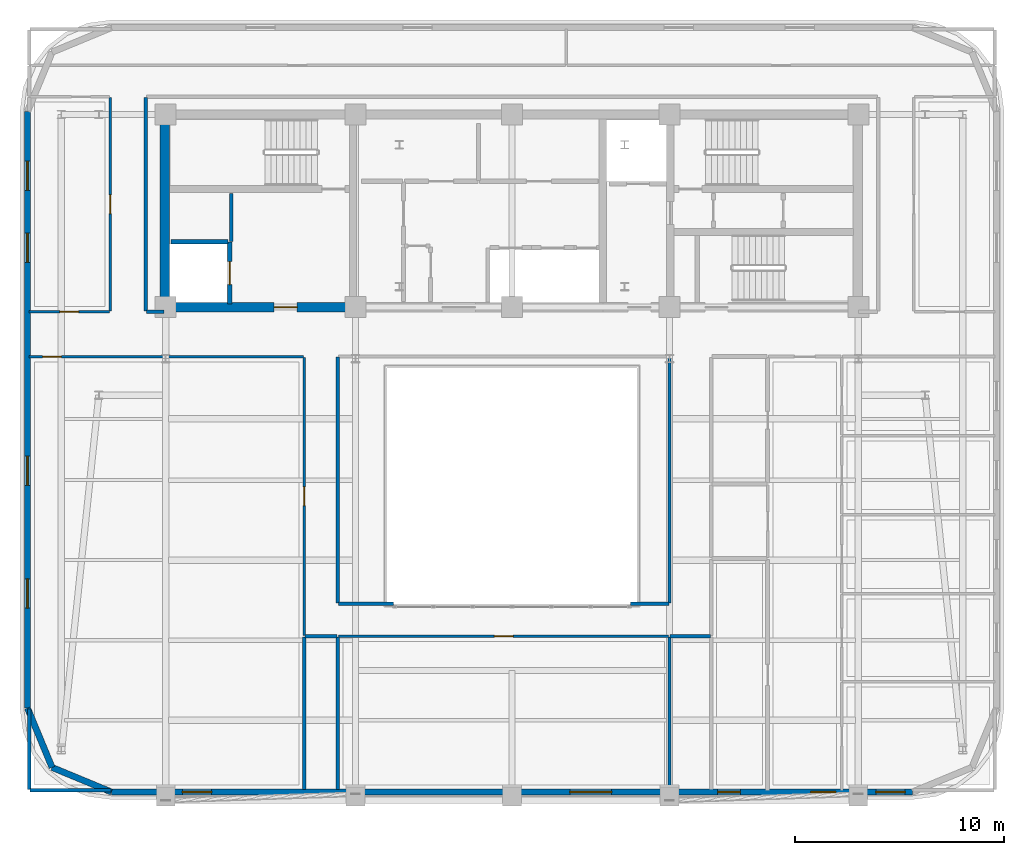
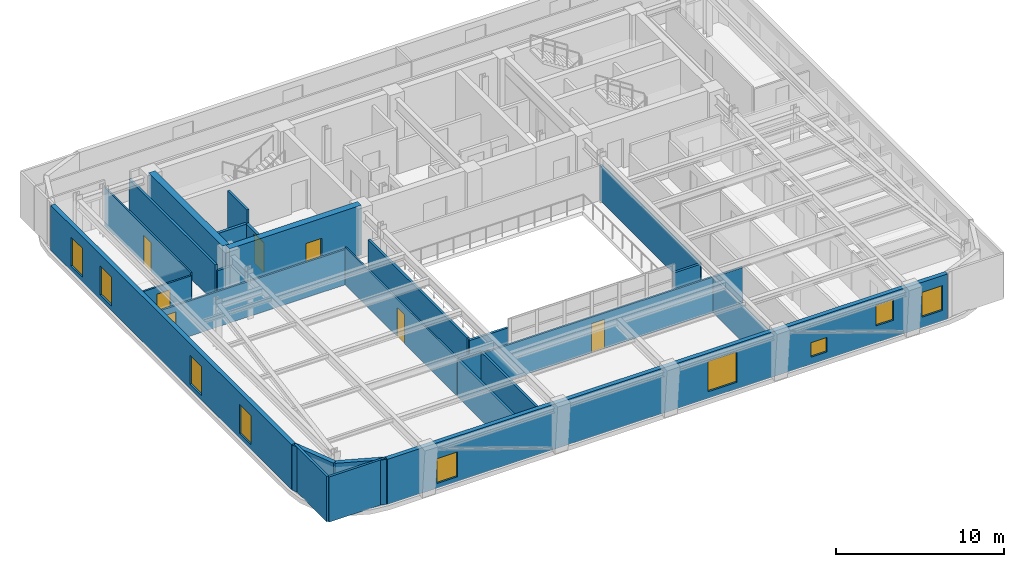
# One storey, part 6 of 13: 27 walls, 9 windows, 7 doors, 16 openings.
"""IFC4 building model written with IfcOpenShell, lengths in metres."""

from ifc_helpers import new_model, si_unit, direction, frame, frame_2d, origin, place, context, subcontext, project, spatial, rectangle, extrude, material, layer, layer_set, type_object, element, fill, save


model = new_model("IFC4")

# Units and contexts
model_context = context("Model", 3, precision=1e-05, world=origin(), true_north=direction((0.0, 1.0)))
body_context = subcontext(model_context, "Body", "Model", "MODEL_VIEW")
ifc_project = project(units=[si_unit("LENGTHUNIT", "METRE"), si_unit("AREAUNIT", "SQUARE_METRE"), si_unit("VOLUMEUNIT", "CUBIC_METRE"), si_unit("PLANEANGLEUNIT", "RADIAN"), si_unit("MASSUNIT", "GRAM", prefix="KILO")], contexts=[model_context])

# Site, building, storey
site_placement = place(None, origin())
site = spatial("IfcSite", under=ifc_project, at=site_placement, CompositionType="ELEMENT")
building_placement = place(site_placement, origin())
building = spatial("IfcBuilding", under=site, at=building_placement, Name="Zarnavel Station Tower", CompositionType="ELEMENT")
storey_placement = place(building_placement, frame((0.0, 0.0, 240.0)))
storey = spatial("IfcBuildingStorey", under=building, at=storey_placement, Name="L65", CompositionType="ELEMENT", Elevation=240.0)

# Wall, opening, door
ifc_material_1 = material(Name="Concrete C50/60", Category="concrete")
ifc_layer_1 = layer(ifc_material_1, 0.449951171875)
ifc_layer_set_1 = layer_set([ifc_layer_1], Name="CW_450")
wall_type_1 = type_object("IfcWallType", Name="CW_450", PredefinedType="SHEAR", material=ifc_layer_set_1)
wall_1_placement = place(storey_placement, frame((21.179931640625, 27.820068359375, 0.0), z_axis=(0.0, 0.0, 1.0), x_axis=(-1.0, 0.0, 0.0)))
wall_1 = element("IfcWall", 1, at=wall_1_placement, inside=storey, type_object=wall_type_1, Name="L65 Rear Core Shear Wall S-W", PredefinedType="SHEAR", context=body_context, shape_type="SweptSolid", body=[
    extrude(rectangle(XDim=9.030029296875, YDim=0.449951171875, at=frame_2d((4.51513671875, 0.0))), origin(), (0.0, 0.0, 1.0), 3.60009765625),
])
opening_1_placement = place(wall_1_placement, frame((2.679931640625, 0.0, 0.0)))
opening_1 = element("IfcOpeningElement", 2, at=opening_1_placement, cuts=wall_1, Name="Opening FD01", PredefinedType="OPENING", context=body_context, shape_type="SweptSolid", body=[
    extrude(rectangle(XDim=1.10009765625, YDim=2.14990234375, at=frame_2d((0.550048828125, 1.074951171875))), frame((0.0, 0.23486328125, 0.0), z_axis=(0.0, -1.0, 0.0), x_axis=(1.0, 0.0, 0.0)), (0.0, 0.0, 1.0), 0.469970703125),
])
ifc_material_2 = material(Name="Painted Galvanised Steel and Hardwood Leaf", Category="steel")
door_type_1 = type_object("IfcDoorType", Name="ID_STAIR_1100", OperationType="NOTDEFINED", PredefinedType="DOOR", material=ifc_material_2)
door_1_placement = place(opening_1_placement, origin())
door_1 = element("IfcDoor", 3, at=door_1_placement, inside=storey, type_object=door_type_1, Name="L65 West Firefighting Lobby Door", OperationType="SINGLE_SWING_RIGHT", OverallHeight=2.14990234375, OverallWidth=1.10009765625, PredefinedType="DOOR", context=body_context, shape_type="SweptSolid", body=[
    extrude(rectangle(XDim=1.10009765625, YDim=2.14990234375, at=frame_2d((0.550048828125, 1.074951171875))), frame((0.0, 0.02490234375, 0.0), z_axis=(0.0, -1.0, 0.0), x_axis=(1.0, 0.0, 0.0)), (0.0, 0.0, 1.0), 0.050048828125),
])
fill(opening_1, door_1)

# Wall
wall_2_placement = place(storey_placement, frame((12.14990234375, 28.044921875, 0.0), z_axis=(0.0, 0.0, 1.0), x_axis=(0.0, 1.0, 0.0)))
element("IfcWall", 4, at=wall_2_placement, inside=storey, type_object=wall_type_1, Name="L65 Rear Core Shear Wall W", PredefinedType="SHEAR", context=body_context, shape_type="SweptSolid", body=[
    extrude(rectangle(XDim=8.780029296875, YDim=0.449951171875, at=frame_2d((4.39013671875, 0.0))), origin(), (0.0, 0.0, 1.0), 3.60009765625),
])

# Wall, openings, windows
ifc_material_3 = material(Name="Precast concrete C45/55 (Dark Basalt Finish)", Category="masonry")
ifc_layer_2 = layer(ifc_material_3, 0.300048828125)
ifc_layer_set_2 = layer_set([ifc_layer_2], Name="EW_BASALT_300")
wall_type_2 = type_object("IfcWallType", Name="EW_BASALT_300", PredefinedType="SOLIDWALL", material=ifc_layer_set_2)
wall_3_placement = place(storey_placement, frame((5.580078125, 8.60009765625, 0.0), z_axis=(0.0, 0.0, 1.0), x_axis=(0.0, 1.0, 0.0)))
wall_3 = element("IfcWall", 5, at=wall_3_placement, inside=storey, type_object=wall_type_2, Name="L65 Exterior Basalt Masonry Frame Wall 09", PredefinedType="SOLIDWALL", context=body_context, shape_type="SweptSolid", body=[
    extrude(rectangle(XDim=28.599853515625, YDim=0.300048828125, at=frame_2d((14.2998046875, 0.0))), origin(), (0.0, 0.0, 1.0), 3.280029296875),
])
opening_2_placement = place(wall_3_placement, frame((21.360107421875, 0.0, 0.340087890625)))
opening_2 = element("IfcOpeningElement", 6, at=opening_2_placement, cuts=wall_3, Name="Opening WN04", PredefinedType="OPENING", context=body_context, shape_type="SweptSolid", body=[
    extrude(rectangle(XDim=1.39990234375, YDim=2.10009765625, at=frame_2d((0.699951171875, 1.050048828125))), frame((0.0, 0.159912109375, 0.0), z_axis=(0.0, -1.0, 0.0), x_axis=(1.0, 0.0, 0.0)), (0.0, 0.0, 1.0), 0.320068359375),
])
opening_3_placement = place(wall_3_placement, frame((24.820068359375, 0.0, 0.340087890625)))
opening_3 = element("IfcOpeningElement", 7, at=opening_3_placement, cuts=wall_3, Name="Opening WN04", PredefinedType="OPENING", context=body_context, shape_type="SweptSolid", body=[
    extrude(rectangle(XDim=1.39990234375, YDim=2.10009765625, at=frame_2d((0.699951171875, 1.050048828125))), frame((0.0, 0.159912109375, 0.0), z_axis=(0.0, -1.0, 0.0), x_axis=(1.0, 0.0, 0.0)), (0.0, 0.0, 1.0), 0.320068359375),
])
opening_4_placement = place(wall_3_placement, frame((4.796630859375, 0.0, 0.340087890625)))
opening_4 = element("IfcOpeningElement", 8, at=opening_4_placement, cuts=wall_3, Name="Opening WN04", PredefinedType="OPENING", context=body_context, shape_type="SweptSolid", body=[
    extrude(rectangle(XDim=1.39990234375, YDim=2.10009765625, at=frame_2d((0.699951171875, 1.050048828125))), frame((0.0, 0.159912109375, 0.0), z_axis=(0.0, -1.0, 0.0), x_axis=(1.0, 0.0, 0.0)), (0.0, 0.0, 1.0), 0.320068359375),
])
opening_5_placement = place(wall_3_placement, frame((10.67333984375, 0.0, 0.340087890625)))
opening_5 = element("IfcOpeningElement", 9, at=opening_5_placement, cuts=wall_3, Name="Opening WN04", PredefinedType="OPENING", context=body_context, shape_type="SweptSolid", body=[
    extrude(rectangle(XDim=1.39990234375, YDim=2.10009765625, at=frame_2d((0.699951171875, 1.050048828125))), frame((0.0, 0.159912109375, 0.0), z_axis=(0.0, -1.0, 0.0), x_axis=(1.0, 0.0, 0.0)), (0.0, 0.0, 1.0), 0.320068359375),
])
ifc_material_4 = material(Name="Thermally Broken Black Aluminium and Low-E Dark Glass", Category="aluminium")
window_type_1 = type_object("IfcWindowType", Name="WN_1400x2100", PartitioningType="DOUBLE_PANEL_VERTICAL", PredefinedType="WINDOW", material=ifc_material_4)
window_1_placement = place(opening_2_placement, origin())
window_1 = element("IfcWindow", 10, at=window_1_placement, inside=storey, type_object=window_type_1, Name="L65 Recessed Facade Window 01", OverallHeight=2.10009765625, OverallWidth=1.39990234375, PartitioningType="SINGLE_PANEL", PredefinedType="WINDOW", context=body_context, shape_type="SweptSolid", body=[
    extrude(rectangle(XDim=1.39990234375, YDim=2.10009765625, at=frame_2d((0.699951171875, 1.050048828125))), frame((0.0, 0.030029296875, 0.0), z_axis=(0.0, -1.0, 0.0), x_axis=(1.0, 0.0, 0.0)), (0.0, 0.0, 1.0), 0.06005859375),
])
fill(opening_2, window_1)
window_2_placement = place(opening_3_placement, origin())
window_2 = element("IfcWindow", 11, at=window_2_placement, inside=storey, type_object=window_type_1, Name="L65 Recessed Facade Window 02", OverallHeight=2.10009765625, OverallWidth=1.39990234375, PartitioningType="SINGLE_PANEL", PredefinedType="WINDOW", context=body_context, shape_type="SweptSolid", body=[
    extrude(rectangle(XDim=1.39990234375, YDim=2.10009765625, at=frame_2d((0.699951171875, 1.050048828125))), frame((0.0, 0.030029296875, 0.0), z_axis=(0.0, -1.0, 0.0), x_axis=(1.0, 0.0, 0.0)), (0.0, 0.0, 1.0), 0.06005859375),
])
fill(opening_3, window_2)
window_3_placement = place(opening_4_placement, origin())
window_3 = element("IfcWindow", 12, at=window_3_placement, inside=storey, type_object=window_type_1, Name="L65 Recessed Facade Window 03", OverallHeight=2.10009765625, OverallWidth=1.39990234375, PartitioningType="SINGLE_PANEL", PredefinedType="WINDOW", context=body_context, shape_type="SweptSolid", body=[
    extrude(rectangle(XDim=1.39990234375, YDim=2.10009765625, at=frame_2d((0.699951171875, 1.050048828125))), frame((0.0, 0.030029296875, 0.0), z_axis=(0.0, -1.0, 0.0), x_axis=(1.0, 0.0, 0.0)), (0.0, 0.0, 1.0), 0.06005859375),
])
fill(opening_4, window_3)
window_4_placement = place(opening_5_placement, origin())
window_4 = element("IfcWindow", 13, at=window_4_placement, inside=storey, type_object=window_type_1, Name="L65 Recessed Facade Window 04", OverallHeight=2.10009765625, OverallWidth=1.39990234375, PartitioningType="SINGLE_PANEL", PredefinedType="WINDOW", context=body_context, shape_type="SweptSolid", body=[
    extrude(rectangle(XDim=1.39990234375, YDim=2.10009765625, at=frame_2d((0.699951171875, 1.050048828125))), frame((0.0, 0.030029296875, 0.0), z_axis=(0.0, -1.0, 0.0), x_axis=(1.0, 0.0, 0.0)), (0.0, 0.0, 1.0), 0.06005859375),
])
fill(opening_5, window_4)

# Walls
for number, where, z_axis, x_axis, name in (
    (14, (6.75732421875, 5.75732421875, 0.0), (0.0, 0.0, 1.0), (-0.382608747773, 0.923910464346, 0.0), "L65 Exterior Basalt Masonry Frame Wall 10"),
    (15, (9.60009765625, 4.580078125, 0.0), (0.0, 0.0, 1.0), (-0.923910464346, 0.382608747773, 0.0), "L65 Exterior Basalt Masonry Frame Wall 11"),
):
    element("IfcWall", number, at=place(storey_placement, frame(where, z_axis=z_axis, x_axis=x_axis)), inside=storey, type_object=wall_type_2, Name=name, PredefinedType="SOLIDWALL", context=body_context, shape_type="SweptSolid", body=[
        extrude(rectangle(XDim=3.076904296875, YDim=0.300048828125, at=frame_2d((1.53857421875, 0.0))), origin(), (0.0, 0.0, 1.0), 3.280029296875),
    ])

# Wall, openings, windows
wall_4_placement = place(storey_placement, frame((48.0, 4.580078125, 0.0), z_axis=(0.0, 0.0, 1.0), x_axis=(-1.0, 0.0, 0.0)))
wall_4 = element("IfcWall", 16, at=wall_4_placement, inside=storey, type_object=wall_type_2, Name="L65 Exterior Basalt Masonry Frame Wall 12", PredefinedType="SOLIDWALL", context=body_context, shape_type="SweptSolid", body=[
    extrude(rectangle(XDim=38.39990234375, YDim=0.300048828125, at=frame_2d((19.199951171875, 0.0))), origin(), (0.0, 0.0, 1.0), 3.280029296875),
])
opening_6_placement = place(wall_4_placement, frame((33.594970703125, 0.0, 0.340087890625)))
opening_6 = element("IfcOpeningElement", 17, at=opening_6_placement, cuts=wall_4, Name="Opening WN01", PredefinedType="OPENING", context=body_context, shape_type="SweptSolid", body=[
    extrude(rectangle(XDim=1.39990234375, YDim=1.800048828125, at=frame_2d((0.699951171875, 0.89990234375))), frame((0.0, 0.159912109375, 0.0), z_axis=(0.0, -1.0, 0.0), x_axis=(1.0, 0.0, 0.0)), (0.0, 0.0, 1.0), 0.320068359375),
])
opening_7_placement = place(wall_4_placement, frame((14.425048828125, 0.0, 0.47998046875)))
opening_7 = element("IfcOpeningElement", 18, at=opening_7_placement, cuts=wall_4, Name="Opening WN07", PredefinedType="OPENING", context=body_context, shape_type="SweptSolid", body=[
    extrude(rectangle(XDim=2.0, YDim=2.199951171875, at=frame_2d((1.0, 1.10009765625))), frame((0.0, 0.159912109375, 0.0), z_axis=(0.0, -1.0, 0.0), x_axis=(1.0, 0.0, 0.0)), (0.0, 0.0, 1.0), 0.320068359375),
])
opening_8_placement = place(wall_4_placement, frame((3.69091796875, 0.0, 1.219970703125)))
opening_8 = element("IfcOpeningElement", 19, at=opening_8_placement, cuts=wall_4, Name="Opening WN08", PredefinedType="OPENING", context=body_context, shape_type="SweptSolid", body=[
    extrude(rectangle(XDim=1.199951171875, YDim=1.5, at=frame_2d((0.60009765625, 0.75))), frame((0.0, 0.159912109375, 0.0), z_axis=(0.0, -1.0, 0.0), x_axis=(1.0, 0.0, 0.0)), (0.0, 0.0, 1.0), 0.320068359375),
])
opening_9_placement = place(wall_4_placement, frame((8.25, 0.0, 0.52001953125)))
opening_9 = element("IfcOpeningElement", 20, at=opening_9_placement, cuts=wall_4, Name="Opening WN09", PredefinedType="OPENING", context=body_context, shape_type="SweptSolid", body=[
    extrude(rectangle(XDim=1.10009765625, YDim=1.050048828125, at=frame_2d((0.550048828125, 0.52490234375))), frame((0.0, 0.159912109375, 0.0), z_axis=(0.0, -1.0, 0.0), x_axis=(1.0, 0.0, 0.0)), (0.0, 0.0, 1.0), 0.320068359375),
])
opening_10_placement = place(wall_4_placement, frame((0.357421875, 0.0, 0.75)))
opening_10 = element("IfcOpeningElement", 21, at=opening_10_placement, cuts=wall_4, Name="Opening WN01", PredefinedType="OPENING", context=body_context, shape_type="SweptSolid", body=[
    extrude(rectangle(XDim=1.39990234375, YDim=1.800048828125, at=frame_2d((0.699951171875, 0.89990234375))), frame((0.0, 0.159912109375, 0.0), z_axis=(0.0, -1.0, 0.0), x_axis=(1.0, 0.0, 0.0)), (0.0, 0.0, 1.0), 0.320068359375),
])
ifc_material_5 = material(Name="Thermally Broken Black Aluminium and Low-E Dark Glass", Category="aluminium")
window_type_2 = type_object("IfcWindowType", Name="WN_1100x1050", PartitioningType="SINGLE_PANEL", PredefinedType="WINDOW", material=ifc_material_5)
window_5_placement = place(opening_9_placement, origin())
window_5 = element("IfcWindow", 22, at=window_5_placement, inside=storey, type_object=window_type_2, Name="L65 Recessed Facade Window 04", OverallHeight=1.050048828125, OverallWidth=1.10009765625, PartitioningType="SINGLE_PANEL", PredefinedType="WINDOW", context=body_context, shape_type="SweptSolid", body=[
    extrude(rectangle(XDim=1.10009765625, YDim=1.050048828125, at=frame_2d((0.550048828125, 0.52490234375))), frame((0.0, 0.030029296875, 0.0), z_axis=(0.0, -1.0, 0.0), x_axis=(1.0, 0.0, 0.0)), (0.0, 0.0, 1.0), 0.06005859375),
])
fill(opening_9, window_5)
ifc_material_6 = material(Name="Thermally Broken Black Aluminium and Low-E Dark Glass", Category="aluminium")
window_type_3 = type_object("IfcWindowType", Name="WN_1200x1500", PartitioningType="SINGLE_PANEL", PredefinedType="WINDOW", material=ifc_material_6)
window_6_placement = place(opening_8_placement, origin())
window_6 = element("IfcWindow", 23, at=window_6_placement, inside=storey, type_object=window_type_3, Name="L65 Recessed Facade Window 03", OverallHeight=1.5, OverallWidth=1.199951171875, PartitioningType="SINGLE_PANEL", PredefinedType="WINDOW", context=body_context, shape_type="SweptSolid", body=[
    extrude(rectangle(XDim=1.199951171875, YDim=1.5, at=frame_2d((0.60009765625, 0.75))), frame((0.0, 0.030029296875, 0.0), z_axis=(0.0, -1.0, 0.0), x_axis=(1.0, 0.0, 0.0)), (0.0, 0.0, 1.0), 0.06005859375),
])
fill(opening_8, window_6)
ifc_material_7 = material(Name="Thermally Broken Black Aluminium and Low-E Dark Glass", Category="aluminium")
window_type_4 = type_object("IfcWindowType", Name="WN_1400x1800", PartitioningType="DOUBLE_PANEL_VERTICAL", PredefinedType="WINDOW", material=ifc_material_7)
window_7_placement = place(opening_6_placement, origin())
window_7 = element("IfcWindow", 24, at=window_7_placement, inside=storey, type_object=window_type_4, Name="L65 Recessed Facade Window 01", OverallHeight=1.800048828125, OverallWidth=1.39990234375, PartitioningType="SINGLE_PANEL", PredefinedType="WINDOW", context=body_context, shape_type="SweptSolid", body=[
    extrude(rectangle(XDim=1.39990234375, YDim=1.800048828125, at=frame_2d((0.699951171875, 0.89990234375))), frame((0.0, 0.030029296875, 0.0), z_axis=(0.0, -1.0, 0.0), x_axis=(1.0, 0.0, 0.0)), (0.0, 0.0, 1.0), 0.06005859375),
])
fill(opening_6, window_7)
window_8_placement = place(opening_10_placement, origin())
window_8 = element("IfcWindow", 25, at=window_8_placement, inside=storey, type_object=window_type_4, Name="L65 Recessed Facade Window 05", OverallHeight=1.800048828125, OverallWidth=1.39990234375, PartitioningType="SINGLE_PANEL", PredefinedType="WINDOW", context=body_context, shape_type="SweptSolid", body=[
    extrude(rectangle(XDim=1.39990234375, YDim=1.800048828125, at=frame_2d((0.699951171875, 0.89990234375))), frame((0.0, 0.030029296875, 0.0), z_axis=(0.0, -1.0, 0.0), x_axis=(1.0, 0.0, 0.0)), (0.0, 0.0, 1.0), 0.06005859375),
])
fill(opening_10, window_8)
ifc_material_8 = material(Name="Thermally Broken Black Aluminium and Low-E Dark Glass", Category="aluminium")
window_type_5 = type_object("IfcWindowType", Name="WN_2000x2200", PartitioningType="TRIPLE_PANEL_VERTICAL", PredefinedType="WINDOW", material=ifc_material_8)
window_9_placement = place(opening_7_placement, origin())
window_9 = element("IfcWindow", 26, at=window_9_placement, inside=storey, type_object=window_type_5, Name="L65 Recessed Facade Window 02", OverallHeight=2.199951171875, OverallWidth=2.0, PartitioningType="SINGLE_PANEL", PredefinedType="WINDOW", context=body_context, shape_type="SweptSolid", body=[
    extrude(rectangle(XDim=2.0, YDim=2.199951171875, at=frame_2d((1.0, 1.10009765625))), frame((0.0, 0.030029296875, 0.0), z_axis=(0.0, -1.0, 0.0), x_axis=(1.0, 0.0, 0.0)), (0.0, 0.0, 1.0), 0.06005859375),
])
fill(opening_7, window_9)

# Walls
ifc_material_9 = material(Name="Gypsum Twin-Stud Acoustic Fire Partition", Category="concrete")
ifc_layer_3 = layer(ifc_material_9, 0.159912109375)
ifc_layer_set_3 = layer_set([ifc_layer_3], Name="PT_DEMISE_160")
wall_type_3 = type_object("IfcWallType", Name="PT_DEMISE_160", PredefinedType="PARTITIONING", material=ifc_layer_set_3)
wall_5_placement = place(storey_placement, frame((15.35009765625, 30.9599609375, 0.0), z_axis=(0.0, 0.0, 1.0), x_axis=(0.0, 1.0, 0.0)))
element("IfcWall", 27, at=wall_5_placement, inside=storey, type_object=wall_type_3, Name="L65 Enclosure Wall FFL1", PredefinedType="PARTITIONING", context=body_context, shape_type="SweptSolid", body=[
    extrude(rectangle(XDim=2.31005859375, YDim=0.159912109375, at=frame_2d((1.155029296875, 0.0))), origin(), (0.0, 0.0, 1.0), 3.280029296875),
])
wall_6_placement = place(storey_placement, frame((11.280029296875, 27.60009765625, 0.0), z_axis=(0.0, 0.0, 1.0), x_axis=(1.0, 0.0, 0.0)))
element("IfcWall", 28, at=wall_6_placement, inside=storey, type_object=wall_type_3, Name="L65 Enclosure Wall COR-S", PredefinedType="PARTITIONING", context=body_context, shape_type="SweptSolid", body=[
    extrude(rectangle(XDim=0.840087890625, YDim=0.159912109375, at=frame_2d((0.419921875, 0.0))), origin(), (0.0, 0.0, 1.0), 2.35009765625),
])
wall_7_placement = place(storey_placement, frame((18.8798828125, 12.050048828125, 0.0), z_axis=(0.0, 0.0, 1.0), x_axis=(1.0, 0.0, 0.0)))
element("IfcWall", 29, at=wall_7_placement, inside=storey, type_object=wall_type_3, Name="L65 Enclosure Wall COR-AW", PredefinedType="PARTITIONING", context=body_context, shape_type="SweptSolid", body=[
    extrude(rectangle(XDim=1.5400390625, YDim=0.159912109375, at=frame_2d((0.77001953125, 0.0))), origin(), (0.0, 0.0, 1.0), 2.7099609375),
])
wall_8_placement = place(storey_placement, frame((20.449951171875, 13.6298828125, 0.0), z_axis=(0.0, 0.0, 1.0), x_axis=(0.0, 1.0, 0.0)))
element("IfcWall", 30, at=wall_8_placement, inside=storey, type_object=wall_type_3, Name="L65 Enclosure Wall COR-AW", PredefinedType="PARTITIONING", context=body_context, shape_type="SweptSolid", body=[
    extrude(rectangle(XDim=11.7900390625, YDim=0.159912109375, at=frame_2d((5.89501953125, 0.0))), origin(), (0.0, 0.0, 1.0), 2.7099609375),
])
wall_9_placement = place(storey_placement, frame((36.3798828125, 12.050048828125, 0.0), z_axis=(0.0, 0.0, 1.0), x_axis=(1.0, 0.0, 0.0)))
element("IfcWall", 31, at=wall_9_placement, inside=storey, type_object=wall_type_3, Name="L65 Enclosure Wall COR-AE", PredefinedType="PARTITIONING", context=body_context, shape_type="SweptSolid", body=[
    extrude(rectangle(XDim=1.940185546875, YDim=0.159912109375, at=frame_2d((0.97021484375, 0.0))), origin(), (0.0, 0.0, 1.0), 2.56005859375),
])
wall_10_placement = place(storey_placement, frame((36.35009765625, 13.6298828125, 0.0), z_axis=(0.0, 0.0, 1.0), x_axis=(0.0, 1.0, 0.0)))
element("IfcWall", 32, at=wall_10_placement, inside=storey, type_object=wall_type_3, Name="L65 Enclosure Wall COR-AE", PredefinedType="PARTITIONING", context=body_context, shape_type="SweptSolid", body=[
    extrude(rectangle(XDim=11.7900390625, YDim=0.159912109375, at=frame_2d((5.89501953125, 0.0))), origin(), (0.0, 0.0, 1.0), 2.56005859375),
])
wall_11_placement = place(storey_placement, frame((20.47998046875, 13.60009765625, 0.0), z_axis=(0.0, 0.0, 1.0), x_axis=(1.0, 0.0, 0.0)))
element("IfcWall", 33, at=wall_11_placement, inside=storey, type_object=wall_type_3, Name="L65 Enclosure Wall COR-AS", PredefinedType="PARTITIONING", context=body_context, shape_type="SweptSolid", body=[
    extrude(rectangle(XDim=2.64013671875, YDim=0.159912109375, at=frame_2d((1.320068359375, 0.0))), origin(), (0.0, 0.0, 1.0), 2.56005859375),
])
wall_12_placement = place(storey_placement, frame((34.47998046875, 13.60009765625, 0.0), z_axis=(0.0, 0.0, 1.0), x_axis=(1.0, 0.0, 0.0)))
element("IfcWall", 34, at=wall_12_placement, inside=storey, type_object=wall_type_3, Name="L65 Enclosure Wall COR-AS", PredefinedType="PARTITIONING", context=body_context, shape_type="SweptSolid", body=[
    extrude(rectangle(XDim=1.840087890625, YDim=0.159912109375, at=frame_2d((0.919921875, 0.0))), origin(), (0.0, 0.0, 1.0), 2.56005859375),
])
wall_13_placement = place(storey_placement, frame((11.25, 27.6298828125, 0.0), z_axis=(0.0, 0.0, 1.0), x_axis=(0.0, 1.0, 0.0)))
element("IfcWall", 35, at=wall_13_placement, inside=storey, type_object=wall_type_3, Name="L65 Enclosure Wall COR-W", PredefinedType="PARTITIONING", context=body_context, shape_type="SweptSolid", body=[
    extrude(rectangle(XDim=10.240234375, YDim=0.159912109375, at=frame_2d((5.1201171875, 0.0))), origin(), (0.0, 0.0, 1.0), 2.760009765625),
])
for number, where, z_axis, x_axis, name in (
    (36, (5.68994140625, 4.659912109375, 0.0), (0.0, 0.0, 1.0), (1.0, 0.0, 0.0), "L65 Enclosure Wall L64ART"),
    (37, (5.659912109375, 4.68994140625, 0.0), (0.0, 0.0, 1.0), (0.0, 1.0, 0.0), "L65 Enclosure Wall L64ART"),
):
    element("IfcWall", number, at=place(storey_placement, frame(where, z_axis=z_axis, x_axis=x_axis)), inside=storey, type_object=wall_type_3, Name=name, PredefinedType="PARTITIONING", context=body_context, shape_type="SweptSolid", body=[
        extrude(rectangle(XDim=3.880126953125, YDim=0.159912109375, at=frame_2d((1.93994140625, 0.0))), origin(), (0.0, 0.0, 1.0), 3.280029296875),
    ])
for number, where, z_axis, x_axis, name in (
    (38, (18.85009765625, 4.68994140625, 0.0), (0.0, 0.0, 1.0), (0.0, 1.0, 0.0), "L65 Enclosure Wall L64ART"),
    (39, (20.449951171875, 4.68994140625, 0.0), (0.0, 0.0, 1.0), (0.0, 1.0, 0.0), "L65 Enclosure Wall L64CON"),
):
    element("IfcWall", number, at=place(storey_placement, frame(where, z_axis=z_axis, x_axis=x_axis)), inside=storey, type_object=wall_type_3, Name=name, PredefinedType="PARTITIONING", context=body_context, shape_type="SweptSolid", body=[
        extrude(rectangle(XDim=7.330078125, YDim=0.159912109375, at=frame_2d((3.6650390625, 0.0))), origin(), (0.0, 0.0, 1.0), 2.7099609375),
    ])
wall_14_placement = place(storey_placement, frame((36.35009765625, 4.68994140625, 0.0), z_axis=(0.0, 0.0, 1.0), x_axis=(0.0, 1.0, 0.0)))
element("IfcWall", 40, at=wall_14_placement, inside=storey, type_object=wall_type_3, Name="L65 Enclosure Wall L64CON", PredefinedType="PARTITIONING", context=body_context, shape_type="SweptSolid", body=[
    extrude(rectangle(XDim=7.330078125, YDim=0.159912109375, at=frame_2d((3.6650390625, 0.0))), origin(), (0.0, 0.0, 1.0), 2.56005859375),
])

# Wall, opening, door
ifc_material_10 = material(Name="Gypsum Metal-Stud Interior Partition", Category="concrete")
ifc_layer_4 = layer(ifc_material_10, 0.1201171875)
ifc_layer_set_4 = layer_set([ifc_layer_4], Name="PT_ROOM_120")
wall_type_4 = type_object("IfcWallType", Name="PT_ROOM_120", PredefinedType="PARTITIONING", material=ifc_layer_set_4)
wall_15_placement = place(storey_placement, frame((5.659912109375, 27.60009765625, 0.0), z_axis=(0.0, 0.0, 1.0), x_axis=(1.0, 0.0, 0.0)))
wall_15 = element("IfcWall", 41, at=wall_15_placement, inside=storey, type_object=wall_type_4, Name="L65 Partition COR-S-FNW", PredefinedType="PARTITIONING", context=body_context, shape_type="SweptSolid", body=[
    extrude(rectangle(XDim=3.85009765625, YDim=0.1201171875, at=frame_2d((1.925048828125, 0.0))), origin(), (0.0, 0.0, 1.0), 2.610107421875),
])
opening_11_placement = place(wall_15_placement, frame((1.47509765625, 0.0, 0.0)))
opening_11 = element("IfcOpeningElement", 42, at=opening_11_placement, cuts=wall_15, Name="Opening ID01", PredefinedType="OPENING", context=body_context, shape_type="SweptSolid", body=[
    extrude(rectangle(XDim=0.89990234375, YDim=2.10009765625, at=frame_2d((0.449951171875, 1.050048828125))), frame((0.0, 0.070068359375, 0.0), z_axis=(0.0, -1.0, 0.0), x_axis=(1.0, 0.0, 0.0)), (0.0, 0.0, 1.0), 0.14013671875),
])
ifc_material_11 = material(Name="Painted Galvanised Steel and Hardwood Leaf", Category="steel")
door_type_2 = type_object("IfcDoorType", Name="ID_ROOM_900", OperationType="NOTDEFINED", PredefinedType="DOOR", material=ifc_material_11)
door_2_placement = place(opening_11_placement, origin())
door_2 = element("IfcDoor", 43, at=door_2_placement, inside=storey, type_object=door_type_2, Name="L65 Door COR-S-FNW", OperationType="SINGLE_SWING_LEFT", OverallHeight=2.10009765625, OverallWidth=0.89990234375, PredefinedType="DOOR", context=body_context, shape_type="SweptSolid", body=[
    extrude(rectangle(XDim=0.89990234375, YDim=2.10009765625, at=frame_2d((0.449951171875, 1.050048828125))), frame((0.0, 0.02490234375, 0.0), z_axis=(0.0, -1.0, 0.0), x_axis=(1.0, 0.0, 0.0)), (0.0, 0.0, 1.0), 0.050048828125),
])
fill(opening_11, door_2)

wall_16_placement = place(storey_placement, frame((5.659912109375, 25.449951171875, 0.0), z_axis=(0.0, 0.0, 1.0), x_axis=(1.0, 0.0, 0.0)))
wall_16 = element("IfcWall", 44, at=wall_16_placement, inside=storey, type_object=wall_type_4, Name="L65 Partition COR-S-L64ART", PredefinedType="PARTITIONING", context=body_context, shape_type="SweptSolid", body=[
    extrude(rectangle(XDim=13.150146484375, YDim=0.1201171875, at=frame_2d((6.5751953125, 0.0))), origin(), (0.0, 0.0, 1.0), 2.56005859375),
])
opening_12_placement = place(wall_16_placement, frame((0.638671875, 0.0, 0.0)))
opening_12 = element("IfcOpeningElement", 45, at=opening_12_placement, cuts=wall_16, Name="Opening ID01", PredefinedType="OPENING", context=body_context, shape_type="SweptSolid", body=[
    extrude(rectangle(XDim=0.89990234375, YDim=2.10009765625, at=frame_2d((0.449951171875, 1.050048828125))), frame((0.0, 0.070068359375, 0.0), z_axis=(0.0, -1.0, 0.0), x_axis=(1.0, 0.0, 0.0)), (0.0, 0.0, 1.0), 0.14013671875),
])
door_3_placement = place(opening_12_placement, origin())
door_3 = element("IfcDoor", 46, at=door_3_placement, inside=storey, type_object=door_type_2, Name="L65 Door COR-S-L64ART", OperationType="SINGLE_SWING_LEFT", OverallHeight=2.10009765625, OverallWidth=0.89990234375, PredefinedType="DOOR", context=body_context, shape_type="SweptSolid", body=[
    extrude(rectangle(XDim=0.89990234375, YDim=2.10009765625, at=frame_2d((0.449951171875, 1.050048828125))), frame((0.0, 0.02490234375, 0.0), z_axis=(0.0, -1.0, 0.0), x_axis=(1.0, 0.0, 0.0)), (0.0, 0.0, 1.0), 0.050048828125),
])
fill(opening_12, door_3)

wall_17_placement = place(storey_placement, frame((18.85009765625, 12.090087890625, 0.0), z_axis=(0.0, 0.0, 1.0), x_axis=(0.0, 1.0, 0.0)))
wall_17 = element("IfcWall", 47, at=wall_17_placement, inside=storey, type_object=wall_type_4, Name="L65 Partition COR-AW-L64ART", PredefinedType="PARTITIONING", context=body_context, shape_type="SweptSolid", body=[
    extrude(rectangle(XDim=13.31982421875, YDim=0.1201171875, at=frame_2d((6.659912109375, 0.0))), origin(), (0.0, 0.0, 1.0), 2.7099609375),
])
opening_13_placement = place(wall_17_placement, frame((6.2099609375, 0.0, 0.0)))
opening_13 = element("IfcOpeningElement", 48, at=opening_13_placement, cuts=wall_17, Name="Opening ID01", PredefinedType="OPENING", context=body_context, shape_type="SweptSolid", body=[
    extrude(rectangle(XDim=0.89990234375, YDim=2.10009765625, at=frame_2d((0.449951171875, 1.050048828125))), frame((0.0, 0.070068359375, 0.0), z_axis=(0.0, -1.0, 0.0), x_axis=(1.0, 0.0, 0.0)), (0.0, 0.0, 1.0), 0.14013671875),
])
door_4_placement = place(opening_13_placement, origin())
door_4 = element("IfcDoor", 49, at=door_4_placement, inside=storey, type_object=door_type_2, Name="L65 Door COR-AW-L64ART", OperationType="SINGLE_SWING_LEFT", OverallHeight=2.10009765625, OverallWidth=0.89990234375, PredefinedType="DOOR", context=body_context, shape_type="SweptSolid", body=[
    extrude(rectangle(XDim=0.89990234375, YDim=2.10009765625, at=frame_2d((0.449951171875, 1.050048828125))), frame((0.0, 0.02490234375, 0.0), z_axis=(0.0, -1.0, 0.0), x_axis=(1.0, 0.0, 0.0)), (0.0, 0.0, 1.0), 0.050048828125),
])
fill(opening_13, door_4)

wall_18_placement = place(storey_placement, frame((20.489990234375, 12.050048828125, 0.0), z_axis=(0.0, 0.0, 1.0), x_axis=(1.0, 0.0, 0.0)))
wall_18 = element("IfcWall", 50, at=wall_18_placement, inside=storey, type_object=wall_type_4, Name="L65 Partition COR-AS-L64CON", PredefinedType="PARTITIONING", context=body_context, shape_type="SweptSolid", body=[
    extrude(rectangle(XDim=15.820068359375, YDim=0.1201171875, at=frame_2d((7.91015625, 0.0))), origin(), (0.0, 0.0, 1.0), 2.56005859375),
])
opening_14_placement = place(wall_18_placement, frame((7.4599609375, 0.0, 0.0)))
opening_14 = element("IfcOpeningElement", 51, at=opening_14_placement, cuts=wall_18, Name="Opening ID01", PredefinedType="OPENING", context=body_context, shape_type="SweptSolid", body=[
    extrude(rectangle(XDim=0.89990234375, YDim=2.10009765625, at=frame_2d((0.449951171875, 1.050048828125))), frame((0.0, 0.070068359375, 0.0), z_axis=(0.0, -1.0, 0.0), x_axis=(1.0, 0.0, 0.0)), (0.0, 0.0, 1.0), 0.14013671875),
])
door_5_placement = place(opening_14_placement, origin())
door_5 = element("IfcDoor", 52, at=door_5_placement, inside=storey, type_object=door_type_2, Name="L65 Door COR-AS-L64CON", OperationType="SINGLE_SWING_RIGHT", OverallHeight=2.10009765625, OverallWidth=0.89990234375, PredefinedType="DOOR", context=body_context, shape_type="SweptSolid", body=[
    extrude(rectangle(XDim=0.89990234375, YDim=2.10009765625, at=frame_2d((0.449951171875, 1.050048828125))), frame((0.0, 0.02490234375, 0.0), z_axis=(0.0, -1.0, 0.0), x_axis=(1.0, 0.0, 0.0)), (0.0, 0.0, 1.0), 0.050048828125),
])
fill(opening_14, door_5)

wall_19_placement = place(storey_placement, frame((9.550048828125, 27.639892578125, 0.0), z_axis=(0.0, 0.0, 1.0), x_axis=(0.0, 1.0, 0.0)))
wall_19 = element("IfcWall", 53, at=wall_19_placement, inside=storey, type_object=wall_type_4, Name="L65 Partition COR-W-FNW", PredefinedType="PARTITIONING", context=body_context, shape_type="SweptSolid", body=[
    extrude(rectangle(XDim=10.22021484375, YDim=0.1201171875, at=frame_2d((5.110107421875, 0.0))), origin(), (0.0, 0.0, 1.0), 2.760009765625),
])
opening_15_placement = place(wall_19_placement, frame((4.659912109375, 0.0, 0.0)))
opening_15 = element("IfcOpeningElement", 54, at=opening_15_placement, cuts=wall_19, Name="Opening ID01", PredefinedType="OPENING", context=body_context, shape_type="SweptSolid", body=[
    extrude(rectangle(XDim=0.89990234375, YDim=2.10009765625, at=frame_2d((0.449951171875, 1.050048828125))), frame((0.0, 0.070068359375, 0.0), z_axis=(0.0, -1.0, 0.0), x_axis=(1.0, 0.0, 0.0)), (0.0, 0.0, 1.0), 0.14013671875),
])
door_6_placement = place(opening_15_placement, origin())
door_6 = element("IfcDoor", 55, at=door_6_placement, inside=storey, type_object=door_type_2, Name="L65 Door COR-W-FNW", OperationType="SINGLE_SWING_LEFT", OverallHeight=2.10009765625, OverallWidth=0.89990234375, PredefinedType="DOOR", context=body_context, shape_type="SweptSolid", body=[
    extrude(rectangle(XDim=0.89990234375, YDim=2.10009765625, at=frame_2d((0.449951171875, 1.050048828125))), frame((0.0, 0.02490234375, 0.0), z_axis=(0.0, -1.0, 0.0), x_axis=(1.0, 0.0, 0.0)), (0.0, 0.0, 1.0), 0.050048828125),
])
fill(opening_15, door_6)

ifc_material_12 = material(Name="Precast concrete C45/55 (Fire Shaft Blockwork)", Category="masonry")
ifc_layer_5 = layer(ifc_material_12, 0.199951171875)
ifc_layer_set_5 = layer_set([ifc_layer_5], Name="PT_SHAFT_200")
wall_type_5 = type_object("IfcWallType", Name="PT_SHAFT_200", PredefinedType="PARTITIONING", material=ifc_layer_set_5)
wall_20_placement = place(storey_placement, frame((15.27001953125, 27.969970703125, 0.0), z_axis=(0.0, 0.0, 1.0), x_axis=(0.0, 1.0, 0.0)))
wall_20 = element("IfcWall", 56, at=wall_20_placement, inside=storey, type_object=wall_type_5, Name="L65 Lift FFL-01 Shaft Front Wall", PredefinedType="PARTITIONING", context=body_context, shape_type="SweptSolid", body=[
    extrude(rectangle(XDim=2.9599609375, YDim=0.199951171875, at=frame_2d((1.47998046875, 0.0))), origin(), (0.0, 0.0, 1.0), 2.35009765625),
])
opening_16_placement = place(wall_20_placement, frame((0.929931640625, 0.0, 0.0)))
opening_16 = element("IfcOpeningElement", 57, at=opening_16_placement, cuts=wall_20, Name="Opening LD01", PredefinedType="OPENING", context=body_context, shape_type="SweptSolid", body=[
    extrude(rectangle(XDim=1.10009765625, YDim=2.14990234375, at=frame_2d((0.550048828125, 1.074951171875))), frame((0.0, 0.10986328125, 0.0), z_axis=(0.0, -1.0, 0.0), x_axis=(1.0, 0.0, 0.0)), (0.0, 0.0, 1.0), 0.219970703125),
])
ifc_material_13 = material(Name="Painted Galvanised Steel and Hardwood Leaf", Category="steel")
door_type_3 = type_object("IfcDoorType", Name="LD_FF_1100", OperationType="DOUBLE_DOOR_SLIDING", PredefinedType="DOOR", material=ifc_material_13)
door_7_placement = place(opening_16_placement, origin())
door_7 = element("IfcDoor", 58, at=door_7_placement, inside=storey, type_object=door_type_3, Name="L65 Lift FFL-01 Sliding Landing Door", OperationType="DOUBLE_DOOR_SLIDING", OverallHeight=2.14990234375, OverallWidth=1.10009765625, PredefinedType="DOOR", context=body_context, shape_type="SweptSolid", body=[
    extrude(rectangle(XDim=1.10009765625, YDim=2.14990234375, at=frame_2d((0.550048828125, 1.074951171875))), frame((0.0, 0.02490234375, 0.0), z_axis=(0.0, -1.0, 0.0), x_axis=(1.0, 0.0, 0.0)), (0.0, 0.0, 1.0), 0.050048828125),
])
fill(opening_16, door_7)

# Wall
wall_21_placement = place(storey_placement, frame((12.449951171875, 30.949951171875, 0.0), z_axis=(0.0, 0.0, 1.0), x_axis=(1.0, 0.0, 0.0)))
element("IfcWall", 59, at=wall_21_placement, inside=storey, type_object=wall_type_5, Name="L65 Lift FFL-01 North Shaft Wall", PredefinedType="PARTITIONING", context=body_context, shape_type="SweptSolid", body=[
    extrude(rectangle(XDim=2.75, YDim=0.199951171875, at=frame_2d((1.375, 0.0))), origin(), (0.0, 0.0, 1.0), 2.35009765625),
])

save(model, "model.ifc")
